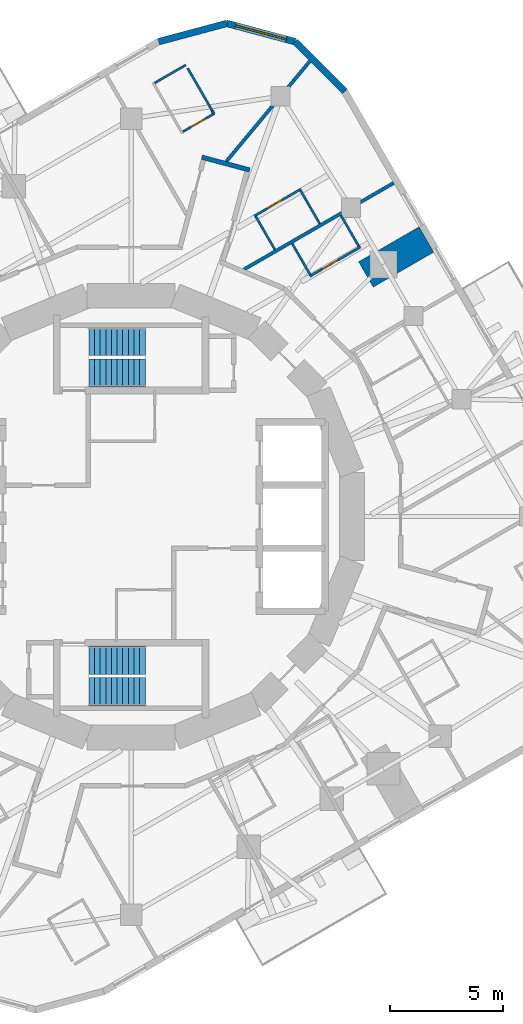
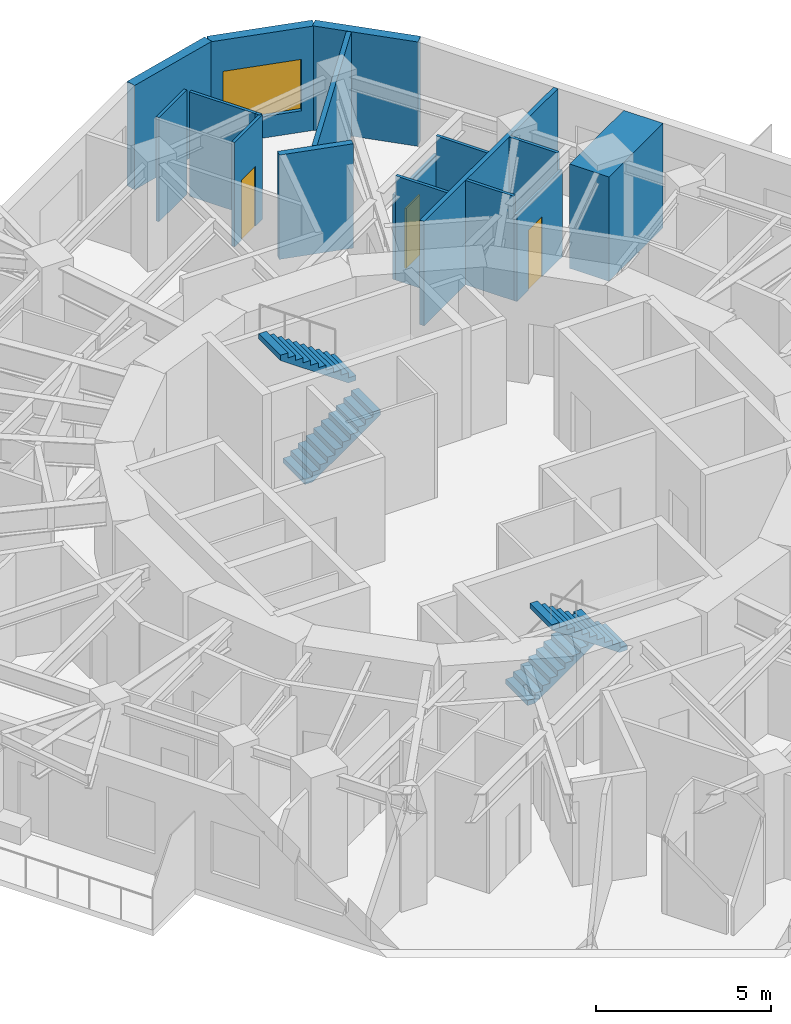
# One storey, part 9 of 11: 17 walls, 4 stair flights, 3 doors, 1 window, 4 openings, 2 elements without a shape of their own.
"""IFC4 building model written with IfcOpenShell, lengths in metres."""

from ifc_helpers import new_model, si_unit, direction, frame, frame_2d, origin, place, context, subcontext, project, spatial, polyline, rectangle, outline, extrude, material, layer, layer_set, type_object, element, fill, aggregate, save


model = new_model("IFC4")

# Units and contexts
model_context = context("Model", 3, precision=1e-05, world=origin(), true_north=direction((0.0, 1.0)))
body_context = subcontext(model_context, "Body", "Model", "MODEL_VIEW")
ifc_project = project(units=[si_unit("LENGTHUNIT", "METRE"), si_unit("AREAUNIT", "SQUARE_METRE"), si_unit("VOLUMEUNIT", "CUBIC_METRE"), si_unit("PLANEANGLEUNIT", "RADIAN"), si_unit("MASSUNIT", "GRAM", prefix="KILO")], contexts=[model_context])

# Site, building, storey
site_placement = place(None, origin())
site = spatial("IfcSite", under=ifc_project, at=site_placement, CompositionType="ELEMENT")
building_placement = place(site_placement, origin())
building = spatial("IfcBuilding", under=site, at=building_placement, Name="Nakasero Lantern House", CompositionType="ELEMENT")
storey_placement = place(building_placement, frame((0.0, 0.0, 238.5)))
storey = spatial("IfcBuildingStorey", under=building, at=storey_placement, Name="L58", CompositionType="ELEMENT", Elevation=238.5)

# Walls
ifc_material_1 = material(Name="Blockwork", Category="masonry")
ifc_layer_1 = layer(ifc_material_1, 1.300048828125)
ifc_layer_set_1 = layer_set([ifc_layer_1], Name="Column pier 1300")
wall_type_1 = type_object("IfcWallType", Name="Column pier 1300", PredefinedType="PARTITIONING", material=ifc_layer_set_1)
wall_1_placement = place(storey_placement, frame((10.4208984375, 10.75048828125, 0.0), z_axis=(0.0, 0.0, 1.0), x_axis=(0.866063626216, 0.499933790963, 0.0)))
element("IfcWall", 1, at=wall_1_placement, inside=storey, type_object=wall_type_1, Name="Column pier L58 PN0-05", PredefinedType="PARTITIONING", context=body_context, shape_type="SweptSolid", body=[
    extrude(rectangle(XDim=3.10009765625, YDim=1.300048828125, at=frame_2d((1.550048828125, 0.0))), origin(), (0.0, 0.0, 1.0), 3.64990234375),
])
ifc_material_2 = material(Name="Blockwork", Category="masonry")
ifc_layer_2 = layer(ifc_material_2, 0.199951171875)
ifc_layer_set_2 = layer_set([ifc_layer_2], Name="Corridor wall 200")
wall_type_2 = type_object("IfcWallType", Name="Corridor wall 200", PredefinedType="PARTITIONING", material=ifc_layer_set_2)
wall_2_placement = place(storey_placement, frame((5.261474609375, 15.38623046875, 0.0), z_axis=(0.0, 0.0, 1.0), x_axis=(-0.965904454439, 0.258898792763, 0.0)))
element("IfcWall", 2, at=wall_2_placement, inside=storey, type_object=wall_type_2, Name="Corridor wall L58 SP0e", PredefinedType="PARTITIONING", context=body_context, shape_type="SweptSolid", body=[
    extrude(rectangle(XDim=2.199951171875, YDim=0.199951171875, at=frame_2d((1.10009765625, 0.0))), origin(), (0.0, 0.0, 1.0), 3.64990234375),
])

# Wall, opening, door
ifc_material_3 = material(Name="Blockwork", Category="masonry")
ifc_layer_3 = layer(ifc_material_3, 0.10009765625)
ifc_layer_set_3 = layer_set([ifc_layer_3], Name="En-suite wall 100")
wall_type_3 = type_object("IfcWallType", Name="En-suite wall 100", PredefinedType="PARTITIONING", material=ifc_layer_set_3)
wall_3_placement = place(storey_placement, frame((7.92822265625, 10.667724609375, 0.0), z_axis=(0.0, 0.0, 1.0), x_axis=(0.866021400173, 0.500006934395, 0.0)))
wall_3 = element("IfcWall", 3, at=wall_3_placement, inside=storey, type_object=wall_type_3, Name="En-suite wall L58 ES0-04", PredefinedType="PARTITIONING", context=body_context, shape_type="SweptSolid", body=[
    extrude(rectangle(XDim=2.60009765625, YDim=0.10009765625, at=frame_2d((1.300048828125, 0.0))), origin(), (0.0, 0.0, 1.0), 3.037841796875),
])
opening_1_placement = place(wall_3_placement, frame((0.64990234375, 0.0, 0.0)))
opening_1 = element("IfcOpeningElement", 4, at=opening_1_placement, cuts=wall_3, Name="Opening D02", PredefinedType="OPENING", context=body_context, shape_type="SweptSolid", body=[
    extrude(rectangle(XDim=0.800048828125, YDim=2.10009765625, at=frame_2d((0.39990234375, 1.050048828125))), frame((0.0, 0.070068359375, 0.0), z_axis=(0.0, -1.0, 0.0), x_axis=(1.0, 0.0, 0.0)), (0.0, 0.0, 1.0), 0.14013671875),
])
ifc_material_4 = material(Name="Timber C24", Category="wood")
door_type = type_object("IfcDoorType", Name="En-suite door 800", OperationType="SINGLE_SWING_RIGHT", PredefinedType="DOOR", material=ifc_material_4)
door_1_placement = place(opening_1_placement, origin())
door_1 = element("IfcDoor", 5, at=door_1_placement, inside=storey, type_object=door_type, Name="Door L58 DE0-04", OperationType="SINGLE_SWING_LEFT", OverallHeight=2.10009765625, OverallWidth=0.800048828125, PredefinedType="DOOR", context=body_context, shape_type="SweptSolid", body=[
    extrude(rectangle(XDim=0.800048828125, YDim=2.10009765625, at=frame_2d((0.39990234375, 1.050048828125))), frame((0.0, 0.02490234375, 0.0), z_axis=(0.0, -1.0, 0.0), x_axis=(1.0, 0.0, 0.0)), (0.0, 0.0, 1.0), 0.050048828125),
])
fill(opening_1, door_1)

# Walls
for number, where, z_axis, x_axis, name in (
    (6, (10.111572265625, 11.986083984375, 0.0), (0.0, 0.0, 1.0), (-0.499947031044, 0.866055983265, 0.0), "En-suite wall L58 EE0-04"),
    (7, (7.946533203125, 10.736083984375, 0.0), (0.0, 0.0, 1.0), (-0.499947031044, 0.866055983265, 0.0), "En-suite wall L58 EI0-04"),
):
    element("IfcWall", number, at=place(storey_placement, frame(where, z_axis=z_axis, x_axis=x_axis)), inside=storey, type_object=wall_type_3, Name=name, PredefinedType="PARTITIONING", context=body_context, shape_type="SweptSolid", body=[
        extrude(rectangle(XDim=1.599853515625, YDim=0.10009765625, at=frame_2d((0.7998046875, 0.0))), origin(), (0.0, 0.0, 1.0), 3.64990234375),
    ])

# Wall, opening, door
wall_4_placement = place(storey_placement, frame((5.46044921875, 13.342041015625, 0.0), z_axis=(0.0, 0.0, 1.0), x_axis=(0.866006032174, 0.500033551112, 0.0)))
wall_4 = element("IfcWall", 8, at=wall_4_placement, inside=storey, type_object=wall_type_3, Name="En-suite wall L58 ES0-06", PredefinedType="PARTITIONING", context=body_context, shape_type="SweptSolid", body=[
    extrude(rectangle(XDim=2.400146484375, YDim=0.10009765625, at=frame_2d((1.2001953125, 0.0))), origin(), (0.0, 0.0, 1.0), 2.966552734375),
])
opening_2_placement = place(wall_4_placement, frame((0.64990234375, 0.0, 0.0)))
opening_2 = element("IfcOpeningElement", 9, at=opening_2_placement, cuts=wall_4, Name="Opening D02", PredefinedType="OPENING", context=body_context, shape_type="SweptSolid", body=[
    extrude(rectangle(XDim=0.800048828125, YDim=2.10009765625, at=frame_2d((0.39990234375, 1.050048828125))), frame((0.0, 0.070068359375, 0.0), z_axis=(0.0, -1.0, 0.0), x_axis=(1.0, 0.0, 0.0)), (0.0, 0.0, 1.0), 0.14013671875),
])
door_2_placement = place(opening_2_placement, origin())
door_2 = element("IfcDoor", 10, at=door_2_placement, inside=storey, type_object=door_type, Name="Door L58 DE0-06", OperationType="SINGLE_SWING_LEFT", OverallHeight=2.10009765625, OverallWidth=0.800048828125, PredefinedType="DOOR", context=body_context, shape_type="SweptSolid", body=[
    extrude(rectangle(XDim=0.800048828125, YDim=2.10009765625, at=frame_2d((0.39990234375, 1.050048828125))), frame((0.0, 0.02490234375, 0.0), z_axis=(0.0, -1.0, 0.0), x_axis=(1.0, 0.0, 0.0)), (0.0, 0.0, 1.0), 0.050048828125),
])
fill(opening_2, door_2)

# Walls
for number, where, z_axis, x_axis, name in (
    (11, (8.37060546875, 13.001708984375, 0.0), (0.0, 0.0, 1.0), (-0.499954529098, 0.86605165483, 0.0), "En-suite wall L58 EE0-06"),
    (12, (6.37890625, 11.8515625, 0.0), (0.0, 0.0, 1.0), (-0.500062241894, 0.865989465428, 0.0), "En-suite wall L58 EI0-06"),
):
    element("IfcWall", number, at=place(storey_placement, frame(where, z_axis=z_axis, x_axis=x_axis)), inside=storey, type_object=wall_type_3, Name=name, PredefinedType="PARTITIONING", context=body_context, shape_type="SweptSolid", body=[
        extrude(rectangle(XDim=1.699951171875, YDim=0.10009765625, at=frame_2d((0.85009765625, 0.0))), origin(), (0.0, 0.0, 1.0), 3.64990234375),
    ])
wall_5_placement = place(storey_placement, frame((2.425537109375, 20.048828125, 0.0), z_axis=(0.0, 0.0, 1.0), x_axis=(-0.865989903783, -0.500061482766, 0.0)))
element("IfcWall", 13, at=wall_5_placement, inside=storey, type_object=wall_type_3, Name="En-suite wall L58 EE1-00", PredefinedType="PARTITIONING", context=body_context, shape_type="SweptSolid", body=[
    extrude(rectangle(XDim=1.599853515625, YDim=0.10009765625, at=frame_2d((0.7998046875, 0.0))), origin(), (0.0, 0.0, 1.0), 3.64990234375),
])

# Wall, opening, door
wall_6_placement = place(storey_placement, frame((3.675537109375, 17.8837890625, 0.0), z_axis=(0.0, 0.0, 1.0), x_axis=(-0.865989903783, -0.500061482766, 0.0)))
wall_6 = element("IfcWall", 14, at=wall_6_placement, inside=storey, type_object=wall_type_3, Name="En-suite wall L58 EI1-00", PredefinedType="PARTITIONING", context=body_context, shape_type="SweptSolid", body=[
    extrude(rectangle(XDim=1.599853515625, YDim=0.10009765625, at=frame_2d((0.7998046875, 0.0))), origin(), (0.0, 0.0, 1.0), 3.64990234375),
])
opening_3_placement = place(wall_6_placement, frame((0.39990234375, 0.0, 0.0)))
opening_3 = element("IfcOpeningElement", 15, at=opening_3_placement, cuts=wall_6, Name="Opening D02", PredefinedType="OPENING", context=body_context, shape_type="SweptSolid", body=[
    extrude(rectangle(XDim=0.800048828125, YDim=2.10009765625, at=frame_2d((0.39990234375, 1.050048828125))), frame((0.0, 0.070068359375, 0.0), z_axis=(0.0, -1.0, 0.0), x_axis=(1.0, 0.0, 0.0)), (0.0, 0.0, 1.0), 0.14013671875),
])
door_3_placement = place(opening_3_placement, origin())
door_3 = element("IfcDoor", 16, at=door_3_placement, inside=storey, type_object=door_type, Name="Door L58 DE1-00", OperationType="SINGLE_SWING_LEFT", OverallHeight=2.10009765625, OverallWidth=0.800048828125, PredefinedType="DOOR", context=body_context, shape_type="SweptSolid", body=[
    extrude(rectangle(XDim=0.800048828125, YDim=2.10009765625, at=frame_2d((0.39990234375, 1.050048828125))), frame((0.0, 0.02490234375, 0.0), z_axis=(0.0, -1.0, 0.0), x_axis=(1.0, 0.0, 0.0)), (0.0, 0.0, 1.0), 0.050048828125),
])
fill(opening_3, door_3)

# Walls
wall_7_placement = place(storey_placement, frame((3.595458984375, 18.022216796875, 0.0), z_axis=(0.0, 0.0, 1.0), x_axis=(-0.499945432413, 0.866056906104, 0.0)))
element("IfcWall", 17, at=wall_7_placement, inside=storey, type_object=wall_type_3, Name="En-suite wall L58 EX001", PredefinedType="PARTITIONING", context=body_context, shape_type="SweptSolid", body=[
    extrude(rectangle(XDim=2.179931640625, YDim=0.10009765625, at=frame_2d((1.08984375, 0.0))), origin(), (0.0, 0.0, 1.0), 3.64990234375),
])
wall_8_placement = place(storey_placement, frame((3.675537109375, 17.8837890625, 0.0), z_axis=(0.0, 0.0, 1.0), x_axis=(-0.500735348028, 0.865600433939, 0.0)))
element("IfcWall", 18, at=wall_8_placement, inside=storey, type_object=wall_type_3, Name="En-suite wall L58 EI1-00R0", PredefinedType="PARTITIONING", context=body_context, shape_type="SweptSolid", body=[
    extrude(rectangle(XDim=0.159912109375, YDim=0.10009765625, at=frame_2d((0.080078125, 0.0))), origin(), (0.0, 0.0, 1.0), 3.64990234375),
])
ifc_material_5 = material(Name="Aluminium rainscreen on blockwork", Category="masonry")
ifc_layer_4 = layer(ifc_material_5, 0.300048828125)
ifc_layer_set_4 = layer_set([ifc_layer_4], Name="Facade wall 300")
wall_type_4 = type_object("IfcWallType", Name="Facade wall 300", PredefinedType="SOLIDWALL", material=ifc_layer_set_4)
wall_9_placement = place(storey_placement, frame((9.4853515625, 18.870849609375, 0.0), z_axis=(0.0, 0.0, 1.0), x_axis=(-0.707067801733, 0.707145758492, 0.0)))
element("IfcWall", 19, at=wall_9_placement, inside=storey, type_object=wall_type_4, Name="Facade wall L58 FW0C1", PredefinedType="SOLIDWALL", context=body_context, shape_type="SweptSolid", body=[
    extrude(rectangle(XDim=3.1318359375, YDim=0.300048828125, at=frame_2d((1.56591796875, 0.0))), origin(), (0.0, 0.0, 1.0), 3.64990234375),
])

# Wall, opening, window
wall_10_placement = place(storey_placement, frame((7.27099609375, 21.08544921875, 0.0), z_axis=(0.0, 0.0, 1.0), x_axis=(-0.965928914048, 0.258807521156, 0.0)))
wall_10 = element("IfcWall", 20, at=wall_10_placement, inside=storey, type_object=wall_type_4, Name="Facade wall L58 FW0C2", PredefinedType="SOLIDWALL", context=body_context, shape_type="SweptSolid", body=[
    extrude(rectangle(XDim=3.1318359375, YDim=0.300048828125, at=frame_2d((1.56591796875, 0.0))), origin(), (0.0, 0.0, 1.0), 3.64990234375),
])
opening_4_placement = place(wall_10_placement, frame((0.39990234375, 0.0, 0.75)))
opening_4 = element("IfcOpeningElement", 21, at=opening_4_placement, cuts=wall_10, Name="Opening W223", PredefinedType="OPENING", context=body_context, shape_type="SweptSolid", body=[
    extrude(rectangle(XDim=2.33203125, YDim=1.800048828125, at=frame_2d((1.166015625, 0.89990234375))), frame((0.0, 0.169921875, 0.0), z_axis=(0.0, -1.0, 0.0), x_axis=(1.0, 0.0, 0.0)), (0.0, 0.0, 1.0), 0.340087890625),
])
ifc_material_6 = material(Name="Aluminium 6063-T6 and glass", Category="aluminium")
window_type = type_object("IfcWindowType", Name="Corner window 2332x1800", PartitioningType="SINGLE_PANEL", PredefinedType="WINDOW", material=ifc_material_6)
window_placement = place(opening_4_placement, origin())
window = element("IfcWindow", 22, at=window_placement, inside=storey, type_object=window_type, Name="Window L58 WC0", OverallHeight=1.800048828125, OverallWidth=2.33203125, PartitioningType="SINGLE_PANEL", PredefinedType="WINDOW", context=body_context, shape_type="SweptSolid", body=[
    extrude(rectangle(XDim=2.33203125, YDim=1.800048828125, at=frame_2d((1.166015625, 0.89990234375))), frame((0.0, 0.030029296875, 0.0), z_axis=(0.0, -1.0, 0.0), x_axis=(1.0, 0.0, 0.0)), (0.0, 0.0, 1.0), 0.06005859375),
])
fill(opening_4, window)

# Walls
wall_11_placement = place(storey_placement, frame((4.245849609375, 21.89599609375, 0.0), z_axis=(0.0, 0.0, 1.0), x_axis=(-0.96592369199, -0.258827010283, 0.0)))
element("IfcWall", 23, at=wall_11_placement, inside=storey, type_object=wall_type_4, Name="Facade wall L58 FW0C3", PredefinedType="SOLIDWALL", context=body_context, shape_type="SweptSolid", body=[
    extrude(rectangle(XDim=3.131591796875, YDim=0.300048828125, at=frame_2d((1.56591796875, 0.0))), origin(), (0.0, 0.0, 1.0), 3.64990234375),
])
ifc_material_7 = material(Name="Blockwork", Category="masonry")
ifc_layer_5 = layer(ifc_material_7, 0.14990234375)
ifc_layer_set_5 = layer_set([ifc_layer_5], Name="Party wall 150")
wall_type_5 = type_object("IfcWallType", Name="Party wall 150", PredefinedType="PARTITIONING", material=ifc_layer_set_5)
wall_12_placement = place(storey_placement, frame((5.011474609375, 10.9755859375, 0.0), z_axis=(0.0, 0.0, 1.0), x_axis=(0.866033500054, 0.499985976588, 0.0)))
element("IfcWall", 24, at=wall_12_placement, inside=storey, type_object=wall_type_5, Name="Party wall L58 PW0-06", PredefinedType="PARTITIONING", context=body_context, shape_type="SweptSolid", body=[
    extrude(rectangle(XDim=7.672119140625, YDim=0.14990234375, at=frame_2d((3.8359375, 0.0))), origin(), (0.0, 0.0, 1.0), 3.64990234375),
])
wall_13_placement = place(storey_placement, frame((4.224853515625, 15.767578125, 0.0), z_axis=(0.0, 0.0, 1.0), x_axis=(0.639993357533, 0.768380441131, 0.0)))
element("IfcWall", 25, at=wall_13_placement, inside=storey, type_object=wall_type_5, Name="Party wall L58 PW1-00", PredefinedType="PARTITIONING", context=body_context, shape_type="SweptSolid", body=[
    extrude(rectangle(XDim=5.78271484375, YDim=0.14990234375, at=frame_2d((2.891357421875, 0.0))), origin(), (0.0, 0.0, 1.0), 3.64990234375),
])

# Stair, stair flights
ifc_material_8 = material(Name="Concrete C40/50", Category="concrete")
stair_type_1 = type_object("IfcStairType", Name="Escape stair ST1 22 risers", PredefinedType="HALF_TURN_STAIR", material=ifc_material_8)
stair_1_placement = place(storey_placement, origin())
stair_1 = element("IfcStair", 26, at=stair_1_placement, inside=storey, type_object=stair_type_1, Name="Escape stair ST1 L58", PredefinedType="HALF_TURN_STAIR")
ifc_material_9 = material(Name="Concrete C40/50", Category="concrete")
stair_flight_type = type_object("IfcStairFlightType", Name="Escape stair flight", PredefinedType="STRAIGHT", material=ifc_material_9)
stair_flight_1_placement = place(storey_placement, frame((-1.875, 6.375, 0.0), z_axis=(0.0, 0.0, 1.0), x_axis=(1.0, 0.0, 0.0)))
stair_flight_1 = element("IfcStairFlight", 27, at=stair_flight_1_placement, type_object=stair_flight_type, Name="ST1 flight 1", NumberOfRisers=11, NumberOfTreads=10, PredefinedType="STRAIGHT", RiserHeight=0.175, TreadLength=0.25, context=body_context, shape_type="SweptSolid", body=[
    extrude(outline(polyline([(0.0, 0.0), (0.0, 0.175048828125), (0.25, 0.175048828125), (0.25, 0.35009765625), (0.5, 0.35009765625), (0.5, 0.52490234375), (0.75, 0.52490234375), (0.75, 0.699951171875), (1.0, 0.699951171875), (1.0, 0.875), (1.25, 0.875), (1.25, 1.050048828125), (1.5, 1.050048828125), (1.5, 1.22509765625), (1.75, 1.22509765625), (1.75, 1.39990234375), (2.0, 1.39990234375), (2.0, 1.574951171875), (2.25, 1.574951171875), (2.25, 1.75), (2.5, 1.75), (2.5, 1.925048828125), (2.5, 1.567138671875), (0.261474609375, 0.0), (0.0, 0.0)])), frame((0.0, 0.625, 0.0), z_axis=(0.0, -1.0, 0.0), x_axis=(1.0, 0.0, 0.0)), (0.0, 0.0, 1.0), 1.25),
])
stair_flight_2_placement = place(storey_placement, frame((0.625, 7.77490234375, 1.925048828125), z_axis=(0.0, 0.0, 1.0), x_axis=(-1.0, 0.0, 0.0)))
stair_flight_2 = element("IfcStairFlight", 28, at=stair_flight_2_placement, type_object=stair_flight_type, Name="ST1 flight 2", NumberOfRisers=11, NumberOfTreads=10, PredefinedType="STRAIGHT", RiserHeight=0.175, TreadLength=0.25, context=body_context, shape_type="SweptSolid", body=[
    extrude(outline(polyline([(0.0, 0.0), (0.0, 0.175048828125), (0.25, 0.175048828125), (0.25, 0.35009765625), (0.5, 0.35009765625), (0.5, 0.52490234375), (0.75, 0.52490234375), (0.75, 0.699951171875), (1.0, 0.699951171875), (1.0, 0.875), (1.25, 0.875), (1.25, 1.050048828125), (1.5, 1.050048828125), (1.5, 1.22509765625), (1.75, 1.22509765625), (1.75, 1.39990234375), (2.0, 1.39990234375), (2.0, 1.574951171875), (2.25, 1.574951171875), (2.25, 1.75), (2.5, 1.75), (2.5, 1.925048828125), (2.5, 1.567138671875), (0.261474609375, 0.0), (0.0, 0.0)])), frame((0.0, 0.625, 0.0), z_axis=(0.0, -1.0, 0.0), x_axis=(1.0, 0.0, 0.0)), (0.0, 0.0, 1.0), 1.25),
])
aggregate(stair_1, [stair_flight_1, stair_flight_2])

ifc_material_10 = material(Name="Concrete C40/50", Category="concrete")
stair_type_2 = type_object("IfcStairType", Name="Escape stair ST2 22 risers", PredefinedType="HALF_TURN_STAIR", material=ifc_material_10)
stair_2_placement = place(storey_placement, origin())
stair_2 = element("IfcStair", 29, at=stair_2_placement, inside=storey, type_object=stair_type_2, Name="Escape stair ST2 L58", PredefinedType="HALF_TURN_STAIR")
stair_flight_3_placement = place(storey_placement, frame((-1.875, -6.375, 0.0), z_axis=(0.0, 0.0, 1.0), x_axis=(1.0, 0.0, 0.0)))
stair_flight_3 = element("IfcStairFlight", 30, at=stair_flight_3_placement, type_object=stair_flight_type, Name="ST2 flight 1", NumberOfRisers=11, NumberOfTreads=10, PredefinedType="STRAIGHT", RiserHeight=0.175, TreadLength=0.25, context=body_context, shape_type="SweptSolid", body=[
    extrude(outline(polyline([(0.0, 0.0), (0.0, 0.175048828125), (0.25, 0.175048828125), (0.25, 0.35009765625), (0.5, 0.35009765625), (0.5, 0.52490234375), (0.75, 0.52490234375), (0.75, 0.699951171875), (1.0, 0.699951171875), (1.0, 0.875), (1.25, 0.875), (1.25, 1.050048828125), (1.5, 1.050048828125), (1.5, 1.22509765625), (1.75, 1.22509765625), (1.75, 1.39990234375), (2.0, 1.39990234375), (2.0, 1.574951171875), (2.25, 1.574951171875), (2.25, 1.75), (2.5, 1.75), (2.5, 1.925048828125), (2.5, 1.567138671875), (0.261474609375, 0.0), (0.0, 0.0)])), frame((0.0, 0.625, 0.0), z_axis=(0.0, -1.0, 0.0), x_axis=(1.0, 0.0, 0.0)), (0.0, 0.0, 1.0), 1.25),
])
stair_flight_4_placement = place(storey_placement, frame((0.625, -7.77490234375, 1.925048828125), z_axis=(0.0, 0.0, 1.0), x_axis=(-1.0, 0.0, 0.0)))
stair_flight_4 = element("IfcStairFlight", 31, at=stair_flight_4_placement, type_object=stair_flight_type, Name="ST2 flight 2", NumberOfRisers=11, NumberOfTreads=10, PredefinedType="STRAIGHT", RiserHeight=0.175, TreadLength=0.25, context=body_context, shape_type="SweptSolid", body=[
    extrude(outline(polyline([(0.0, 0.0), (0.0, 0.175048828125), (0.25, 0.175048828125), (0.25, 0.35009765625), (0.5, 0.35009765625), (0.5, 0.52490234375), (0.75, 0.52490234375), (0.75, 0.699951171875), (1.0, 0.699951171875), (1.0, 0.875), (1.25, 0.875), (1.25, 1.050048828125), (1.5, 1.050048828125), (1.5, 1.22509765625), (1.75, 1.22509765625), (1.75, 1.39990234375), (2.0, 1.39990234375), (2.0, 1.574951171875), (2.25, 1.574951171875), (2.25, 1.75), (2.5, 1.75), (2.5, 1.925048828125), (2.5, 1.567138671875), (0.261474609375, 0.0), (0.0, 0.0)])), frame((0.0, 0.625, 0.0), z_axis=(0.0, -1.0, 0.0), x_axis=(1.0, 0.0, 0.0)), (0.0, 0.0, 1.0), 1.25),
])
aggregate(stair_2, [stair_flight_3, stair_flight_4])

save(model, "model.ifc")
